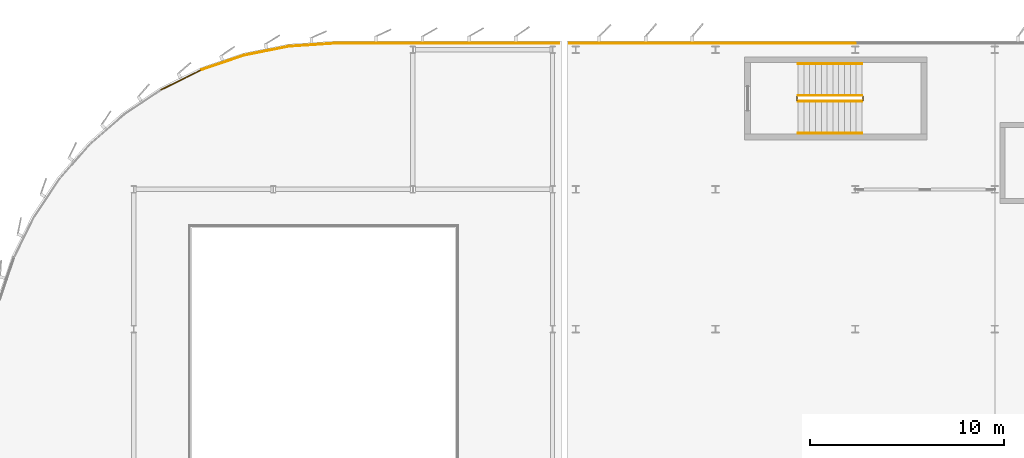
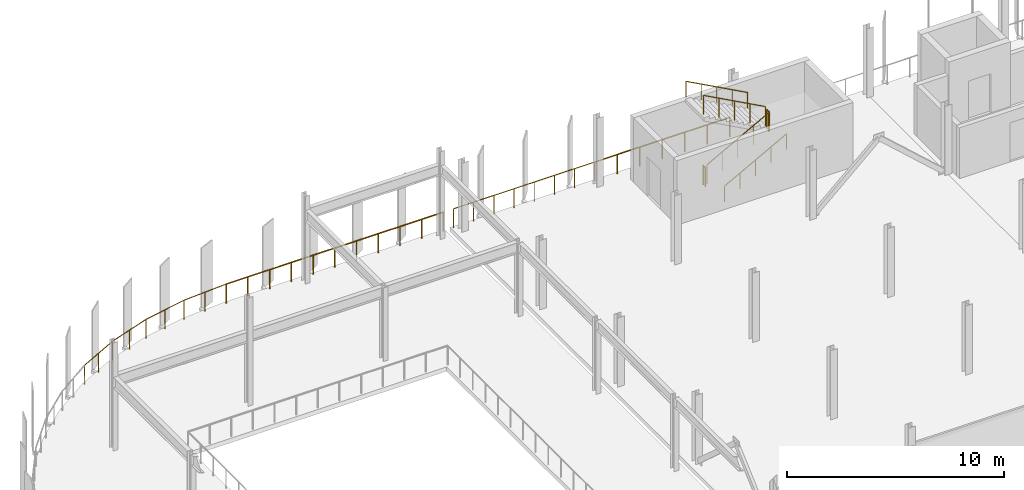
# One storey, part 37 of 40: 13 railings.
"""IFC4 building model written with IfcOpenShell, lengths in metres."""

from ifc_helpers import new_model, si_unit, direction, frame, origin, origin_2d, place, context, subcontext, project, spatial, circle, extrude, material, layer, layer_set, type_object, element, save


model = new_model("IFC4")

# Units and contexts
model_context = context("Model", 3, precision=1e-05, world=origin(), true_north=direction((0.0, 1.0)))
body_context = subcontext(model_context, "Body", "Model", "MODEL_VIEW")
ifc_project = project(units=[si_unit("LENGTHUNIT", "METRE"), si_unit("AREAUNIT", "SQUARE_METRE"), si_unit("VOLUMEUNIT", "CUBIC_METRE"), si_unit("PLANEANGLEUNIT", "RADIAN"), si_unit("MASSUNIT", "GRAM", prefix="KILO")], contexts=[model_context])

# Site, building, storey
site_placement = place(None, origin())
site = spatial("IfcSite", under=ifc_project, at=site_placement, CompositionType="ELEMENT")
building_placement = place(site_placement, origin())
building = spatial("IfcBuilding", under=site, at=building_placement, Name="Vaelcorin Mobility Hub", CompositionType="ELEMENT")
storey_placement = place(building_placement, frame((0.0, 0.0, 17.10009765625)))
storey = spatial("IfcBuildingStorey", under=building, at=storey_placement, Name="L04", CompositionType="ELEMENT", Elevation=17.10009765625)

# Railings
ifc_material_1 = material(Name="Galvanised structural steel ASTM A36", Category="steel")
ifc_layer_1 = layer(ifc_material_1, 0.070068359375)
ifc_layer_set_1 = layer_set([ifc_layer_1], Name="Galvanised structural steel ASTM A36")
railing_type_1 = type_object("IfcRailingType", Name="RL-GUARD-1100", PredefinedType="BALUSTRADE", material=ifc_layer_set_1)
railing_1_placement = place(storey_placement, frame((35.669921875, 120.330078125, 0.0)))
element("IfcRailing", 1, at=railing_1_placement, inside=storey, type_object=railing_type_1, Name="L04 Perimeter Guard GR-V4-L04-N-01-01", PredefinedType="BALUSTRADE", context=body_context, shape_type="SweptSolid", body=[
    extrude(circle(Radius=0.02392578125, at=origin_2d()), frame((0.0, 0.0, 1.076171875), z_axis=(1.0, 0.0, 0.0), x_axis=(0.0, 1.0, 0.0)), (0.0, 0.0, 1.0), 7.530029296875),
    extrude(circle(Radius=0.02099609375, at=origin_2d()), origin(), (0.0, 0.0, 1.0), 1.052001953125),
    extrude(circle(Radius=0.02099609375, at=origin_2d()), frame((1.07568359375, 0.0, 0.0)), (0.0, 0.0, 1.0), 1.052001953125),
    extrude(circle(Radius=0.02099609375, at=origin_2d()), frame((2.1513671875, 0.0, 0.0)), (0.0, 0.0, 1.0), 1.052001953125),
    extrude(circle(Radius=0.02099609375, at=origin_2d()), frame((3.22705078125, 0.0, 0.0)), (0.0, 0.0, 1.0), 1.052001953125),
    extrude(circle(Radius=0.02099609375, at=origin_2d()), frame((4.302978515625, 0.0, 0.0)), (0.0, 0.0, 1.0), 1.052001953125),
    extrude(circle(Radius=0.02099609375, at=origin_2d()), frame((5.378662109375, 0.0, 0.0)), (0.0, 0.0, 1.0), 1.052001953125),
    extrude(circle(Radius=0.02099609375, at=origin_2d()), frame((6.454345703125, 0.0, 0.0)), (0.0, 0.0, 1.0), 1.052001953125),
    extrude(circle(Radius=0.02099609375, at=origin_2d()), frame((7.530029296875, 0.0, 0.0)), (0.0, 0.0, 1.0), 1.052001953125),
])
railing_2_placement = place(storey_placement, frame((43.199951171875, 120.330078125, 0.0)))
element("IfcRailing", 2, at=railing_2_placement, inside=storey, type_object=railing_type_1, Name="L04 Perimeter Guard GR-V4-L04-N-02-01", PredefinedType="BALUSTRADE", context=body_context, shape_type="SweptSolid", body=[
    extrude(circle(Radius=0.02392578125, at=origin_2d()), frame((0.0, 0.0, 1.076171875), z_axis=(1.0, 0.0, 0.0), x_axis=(0.0, 1.0, 0.0)), (0.0, 0.0, 1.0), 7.199951171875),
    extrude(circle(Radius=0.02099609375, at=origin_2d()), origin(), (0.0, 0.0, 1.0), 1.052001953125),
    extrude(circle(Radius=0.02099609375, at=origin_2d()), frame((1.199951171875, 0.0, 0.0)), (0.0, 0.0, 1.0), 1.052001953125),
    extrude(circle(Radius=0.02099609375, at=origin_2d()), frame((2.39990234375, 0.0, 0.0)), (0.0, 0.0, 1.0), 1.052001953125),
    extrude(circle(Radius=0.02099609375, at=origin_2d()), frame((3.60009765625, 0.0, 0.0)), (0.0, 0.0, 1.0), 1.052001953125),
    extrude(circle(Radius=0.02099609375, at=origin_2d()), frame((4.800048828125, 0.0, 0.0)), (0.0, 0.0, 1.0), 1.052001953125),
    extrude(circle(Radius=0.02099609375, at=origin_2d()), frame((6.0, 0.0, 0.0)), (0.0, 0.0, 1.0), 1.052001953125),
    extrude(circle(Radius=0.02099609375, at=origin_2d()), frame((7.199951171875, 0.0, 0.0)), (0.0, 0.0, 1.0), 1.052001953125),
])
railing_3_placement = place(storey_placement, frame((14.610107421875, 117.93505859375, 0.0)))
element("IfcRailing", 3, at=railing_3_placement, inside=storey, type_object=railing_type_1, Name="L04 Perimeter Guard GR-V2W-L04-12", PredefinedType="BALUSTRADE", context=body_context, shape_type="SweptSolid", body=[
    extrude(circle(Radius=0.02392578125, at=origin_2d()), frame((0.0, 0.0, 1.076171875), z_axis=(0.896980317367, 0.442070481095, 0.0), x_axis=(-0.442070481095, 0.896980317367, 0.0)), (0.0, 0.0, 1.0), 2.3388671875),
    extrude(circle(Radius=0.02099609375, at=origin_2d()), origin(), (0.0, 0.0, 1.0), 1.052001953125),
    extrude(circle(Radius=0.02099609375, at=origin_2d()), frame((1.048828125, 0.51708984375, 0.0)), (0.0, 0.0, 1.0), 1.052001953125),
    extrude(circle(Radius=0.02099609375, at=origin_2d()), frame((2.097900390625, 1.033935546875, 0.0)), (0.0, 0.0, 1.0), 1.052001953125),
])
railing_4_placement = place(storey_placement, frame((16.7080078125, 118.968994140625, 0.0)))
element("IfcRailing", 4, at=railing_4_placement, inside=storey, type_object=railing_type_1, Name="L04 Perimeter Guard GR-V2W-L04-13", PredefinedType="BALUSTRADE", context=body_context, shape_type="SweptSolid", body=[
    extrude(circle(Radius=0.02392578125, at=origin_2d()), frame((0.0, 0.0, 1.076171875), z_axis=(0.946882788431, 0.321578893855, 0.0), x_axis=(-0.321578893855, 0.946882788431, 0.0)), (0.0, 0.0, 1.0), 2.33837890625),
    extrude(circle(Radius=0.02099609375, at=origin_2d()), origin(), (0.0, 0.0, 1.0), 1.052001953125),
    extrude(circle(Radius=0.02099609375, at=origin_2d()), frame((1.10693359375, 0.3759765625, 0.0)), (0.0, 0.0, 1.0), 1.052001953125),
    extrude(circle(Radius=0.02099609375, at=origin_2d()), frame((2.214111328125, 0.751953125, 0.0)), (0.0, 0.0, 1.0), 1.052001953125),
])
railing_5_placement = place(storey_placement, frame((18.922119140625, 119.720947265625, 0.0)))
element("IfcRailing", 5, at=railing_5_placement, inside=storey, type_object=railing_type_1, Name="L04 Perimeter Guard GR-V2W-L04-14", PredefinedType="BALUSTRADE", context=body_context, shape_type="SweptSolid", body=[
    extrude(circle(Radius=0.02392578125, at=origin_2d()), frame((0.0, 0.0, 1.076171875), z_axis=(0.980804861331, 0.194991856212, 0.0), x_axis=(-0.194991856212, 0.980804861331, 0.0)), (0.0, 0.0, 1.0), 2.3388671875),
    extrude(circle(Radius=0.02099609375, at=origin_2d()), origin(), (0.0, 0.0, 1.0), 1.052001953125),
    extrude(circle(Radius=0.02099609375, at=origin_2d()), frame((1.14697265625, 0.22802734375, 0.0)), (0.0, 0.0, 1.0), 1.052001953125),
    extrude(circle(Radius=0.02099609375, at=origin_2d()), frame((2.2939453125, 0.4560546875, 0.0)), (0.0, 0.0, 1.0), 1.052001953125),
])
railing_6_placement = place(storey_placement, frame((21.216064453125, 120.177001953125, 0.0)))
element("IfcRailing", 6, at=railing_6_placement, inside=storey, type_object=railing_type_1, Name="L04 Perimeter Guard GR-V2W-L04-15", PredefinedType="BALUSTRADE", context=body_context, shape_type="SweptSolid", body=[
    extrude(circle(Radius=0.02392578125, at=origin_2d()), frame((0.0, 0.0, 1.076171875), z_axis=(0.99785616691, 0.065445169106, 0.0), x_axis=(-0.065445169106, 0.99785616691, 0.0)), (0.0, 0.0, 1.0), 2.339111328125),
    extrude(circle(Radius=0.02099609375, at=origin_2d()), origin(), (0.0, 0.0, 1.0), 1.052001953125),
    extrude(circle(Radius=0.02099609375, at=origin_2d()), frame((1.1669921875, 0.07666015625, 0.0)), (0.0, 0.0, 1.0), 1.052001953125),
    extrude(circle(Radius=0.02099609375, at=origin_2d()), frame((2.333984375, 0.153076171875, 0.0)), (0.0, 0.0, 1.0), 1.052001953125),
])
railing_7_placement = place(storey_placement, frame((23.550048828125, 120.330078125, 0.0)))
element("IfcRailing", 7, at=railing_7_placement, inside=storey, type_object=railing_type_1, Name="L04 Perimeter Guard GR-V2W-L04-16", PredefinedType="BALUSTRADE", context=body_context, shape_type="SweptSolid", body=[
    extrude(circle(Radius=0.02392578125, at=origin_2d()), frame((0.0, 0.0, 1.076171875), z_axis=(1.0, 0.0, 0.0), x_axis=(0.0, 1.0, 0.0)), (0.0, 0.0, 1.0), 11.579833984375),
    extrude(circle(Radius=0.02099609375, at=origin_2d()), origin(), (0.0, 0.0, 1.0), 1.052001953125),
    extrude(circle(Radius=0.02099609375, at=origin_2d()), frame((1.157958984375, 0.0, 0.0)), (0.0, 0.0, 1.0), 1.052001953125),
    extrude(circle(Radius=0.02099609375, at=origin_2d()), frame((2.31591796875, 0.0, 0.0)), (0.0, 0.0, 1.0), 1.052001953125),
    extrude(circle(Radius=0.02099609375, at=origin_2d()), frame((3.473876953125, 0.0, 0.0)), (0.0, 0.0, 1.0), 1.052001953125),
    extrude(circle(Radius=0.02099609375, at=origin_2d()), frame((4.6318359375, 0.0, 0.0)), (0.0, 0.0, 1.0), 1.052001953125),
    extrude(circle(Radius=0.02099609375, at=origin_2d()), frame((5.7900390625, 0.0, 0.0)), (0.0, 0.0, 1.0), 1.052001953125),
    extrude(circle(Radius=0.02099609375, at=origin_2d()), frame((6.947998046875, 0.0, 0.0)), (0.0, 0.0, 1.0), 1.052001953125),
    extrude(circle(Radius=0.02099609375, at=origin_2d()), frame((8.10595703125, 0.0, 0.0)), (0.0, 0.0, 1.0), 1.052001953125),
    extrude(circle(Radius=0.02099609375, at=origin_2d()), frame((9.263916015625, 0.0, 0.0)), (0.0, 0.0, 1.0), 1.052001953125),
    extrude(circle(Radius=0.02099609375, at=origin_2d()), frame((10.421875, 0.0, 0.0)), (0.0, 0.0, 1.0), 1.052001953125),
    extrude(circle(Radius=0.02099609375, at=origin_2d()), frame((11.579833984375, 0.0, 0.0)), (0.0, 0.0, 1.0), 1.052001953125),
])
ifc_material_2 = material(Name="Brushed stainless steel 316L", Category="steel")
ifc_layer_2 = layer(ifc_material_2, 0.048095703125)
ifc_layer_set_2 = layer_set([ifc_layer_2], Name="Brushed stainless steel 316L")
railing_type_2 = type_object("IfcRailingType", Name="RL-STAIR-GRD", PredefinedType="GUARDRAIL", material=ifc_layer_set_2)
railing_8_placement = place(storey_placement, frame((47.449951171875, 117.340087890625, 0.162353515625)))
element("IfcRailing", 8, at=railing_8_placement, inside=storey, type_object=railing_type_2, Name="L04 ST3 stair guard 1", PredefinedType="GUARDRAIL", context=body_context, shape_type="SweptSolid", body=[
    extrude(circle(Radius=0.02392578125, at=origin_2d()), frame((0.0, 0.0, 1.076171875), z_axis=(0.879284020681, 0.0, 0.476297817521), x_axis=(0.0, 1.0, 0.0)), (0.0, 0.0, 1.0), 3.753173828125),
    extrude(circle(Radius=0.02099609375, at=origin_2d()), origin(), (0.0, 0.0, 1.0), 1.052001953125),
    extrude(circle(Radius=0.02099609375, at=origin_2d()), frame((0.824951171875, 0.0, 0.44677734375)), (0.0, 0.0, 1.0), 1.052001953125),
    extrude(circle(Radius=0.02099609375, at=origin_2d()), frame((1.64990234375, 0.0, 0.893798828125)), (0.0, 0.0, 1.0), 1.052001953125),
    extrude(circle(Radius=0.02099609375, at=origin_2d()), frame((2.47509765625, 0.0, 1.3408203125)), (0.0, 0.0, 1.0), 1.052001953125),
    extrude(circle(Radius=0.02099609375, at=origin_2d()), frame((3.300048828125, 0.0, 1.78759765625)), (0.0, 0.0, 1.0), 1.052001953125),
])
railing_9_placement = place(storey_placement, frame((50.800048828125, 117.389892578125, 1.949951171875)))
element("IfcRailing", 9, at=railing_9_placement, inside=storey, type_object=railing_type_2, Name="L04 ST3 stair guard 2", PredefinedType="GUARDRAIL", context=body_context, shape_type="SweptSolid", body=[
    extrude(circle(Radius=0.02392578125, at=origin_2d()), frame((0.0, 0.0, 1.076171875), z_axis=(0.0, 1.0, 0.0), x_axis=(-1.0, 0.0, 0.0)), (0.0, 0.0, 1.0), 0.2001953125),
    extrude(circle(Radius=0.02099609375, at=origin_2d()), origin(), (0.0, 0.0, 1.0), 1.052001953125),
    extrude(circle(Radius=0.02099609375, at=origin_2d()), frame((0.0, 0.2001953125, 0.0)), (0.0, 0.0, 1.0), 1.052001953125),
])
railing_10_placement = place(storey_placement, frame((50.75, 117.639892578125, 2.1123046875)))
element("IfcRailing", 10, at=railing_10_placement, inside=storey, type_object=railing_type_2, Name="L04 ST3 stair guard 3", PredefinedType="GUARDRAIL", context=body_context, shape_type="SweptSolid", body=[
    extrude(circle(Radius=0.02392578125, at=origin_2d()), frame((0.0, 0.0, 1.076171875), z_axis=(-0.879284020681, 0.0, 0.476297817521), x_axis=(0.0, -1.0, 0.0)), (0.0, 0.0, 1.0), 3.753173828125),
    extrude(circle(Radius=0.02099609375, at=origin_2d()), origin(), (0.0, 0.0, 1.0), 1.052001953125),
    extrude(circle(Radius=0.02099609375, at=origin_2d()), frame((-0.824951171875, 0.0, 0.44677734375)), (0.0, 0.0, 1.0), 1.052001953125),
    extrude(circle(Radius=0.02099609375, at=origin_2d()), frame((-1.64990234375, 0.0, 0.893798828125)), (0.0, 0.0, 1.0), 1.052001953125),
    extrude(circle(Radius=0.02099609375, at=origin_2d()), frame((-2.47509765625, 0.0, 1.3408203125)), (0.0, 0.0, 1.0), 1.052001953125),
    extrude(circle(Radius=0.02099609375, at=origin_2d()), frame((-3.300048828125, 0.0, 1.78759765625)), (0.0, 0.0, 1.0), 1.052001953125),
])
railing_11_placement = place(storey_placement, frame((47.39990234375, 117.389892578125, 0.0)))
element("IfcRailing", 11, at=railing_11_placement, inside=storey, type_object=railing_type_2, Name="L04 ST3 stair guard 4", PredefinedType="GUARDRAIL", context=body_context, shape_type="SweptSolid", body=[
    extrude(circle(Radius=0.02392578125, at=origin_2d()), frame((0.0, 0.0, 1.076171875), z_axis=(0.0, 1.0, 0.0), x_axis=(-1.0, 0.0, 0.0)), (0.0, 0.0, 1.0), 0.2001953125),
    extrude(circle(Radius=0.02099609375, at=origin_2d()), origin(), (0.0, 0.0, 1.0), 1.052001953125),
    extrude(circle(Radius=0.02099609375, at=origin_2d()), frame((0.0, 0.2001953125, 0.0)), (0.0, 0.0, 1.0), 1.052001953125),
])
ifc_layer_3 = layer(ifc_material_2, 0.048095703125)
ifc_layer_set_3 = layer_set([ifc_layer_3], Name="Brushed stainless steel 316L")
railing_type_3 = type_object("IfcRailingType", Name="RL-STAIR-HR", PredefinedType="HANDRAIL", material=ifc_layer_set_3)
railing_12_placement = place(storey_placement, frame((47.449951171875, 115.699951171875, 0.162353515625)))
element("IfcRailing", 12, at=railing_12_placement, inside=storey, type_object=railing_type_3, Name="L04 ST3 stair handrail 1", PredefinedType="HANDRAIL", context=body_context, shape_type="SweptSolid", body=[
    extrude(circle(Radius=0.02392578125, at=origin_2d()), frame((0.0, 0.0, 0.8759765625), z_axis=(0.879284020681, 0.0, 0.476297817521), x_axis=(0.0, 1.0, 0.0)), (0.0, 0.0, 1.0), 3.753173828125),
    extrude(circle(Radius=0.02099609375, at=origin_2d()), origin(), (0.0, 0.0, 1.0), 0.851806640625),
    extrude(circle(Radius=0.02099609375, at=origin_2d()), frame((0.824951171875, 0.0, 0.44677734375)), (0.0, 0.0, 1.0), 0.851806640625),
    extrude(circle(Radius=0.02099609375, at=origin_2d()), frame((1.64990234375, 0.0, 0.893798828125)), (0.0, 0.0, 1.0), 0.851806640625),
    extrude(circle(Radius=0.02099609375, at=origin_2d()), frame((2.47509765625, 0.0, 1.3408203125)), (0.0, 0.0, 1.0), 0.851806640625),
    extrude(circle(Radius=0.02099609375, at=origin_2d()), frame((3.300048828125, 0.0, 1.78759765625)), (0.0, 0.0, 1.0), 0.851806640625),
])
railing_13_placement = place(storey_placement, frame((50.75, 119.280029296875, 2.1123046875)))
element("IfcRailing", 13, at=railing_13_placement, inside=storey, type_object=railing_type_3, Name="L04 ST3 stair handrail 2", PredefinedType="HANDRAIL", context=body_context, shape_type="SweptSolid", body=[
    extrude(circle(Radius=0.02392578125, at=origin_2d()), frame((0.0, 0.0, 0.8759765625), z_axis=(-0.879284020681, 0.0, 0.476297817521), x_axis=(0.0, -1.0, 0.0)), (0.0, 0.0, 1.0), 3.753173828125),
    extrude(circle(Radius=0.02099609375, at=origin_2d()), origin(), (0.0, 0.0, 1.0), 0.851806640625),
    extrude(circle(Radius=0.02099609375, at=origin_2d()), frame((-0.824951171875, 0.0, 0.44677734375)), (0.0, 0.0, 1.0), 0.851806640625),
    extrude(circle(Radius=0.02099609375, at=origin_2d()), frame((-1.64990234375, 0.0, 0.893798828125)), (0.0, 0.0, 1.0), 0.851806640625),
    extrude(circle(Radius=0.02099609375, at=origin_2d()), frame((-2.47509765625, 0.0, 1.3408203125)), (0.0, 0.0, 1.0), 0.851806640625),
    extrude(circle(Radius=0.02099609375, at=origin_2d()), frame((-3.300048828125, 0.0, 1.78759765625)), (0.0, 0.0, 1.0), 0.851806640625),
])

save(model, "model.ifc")
